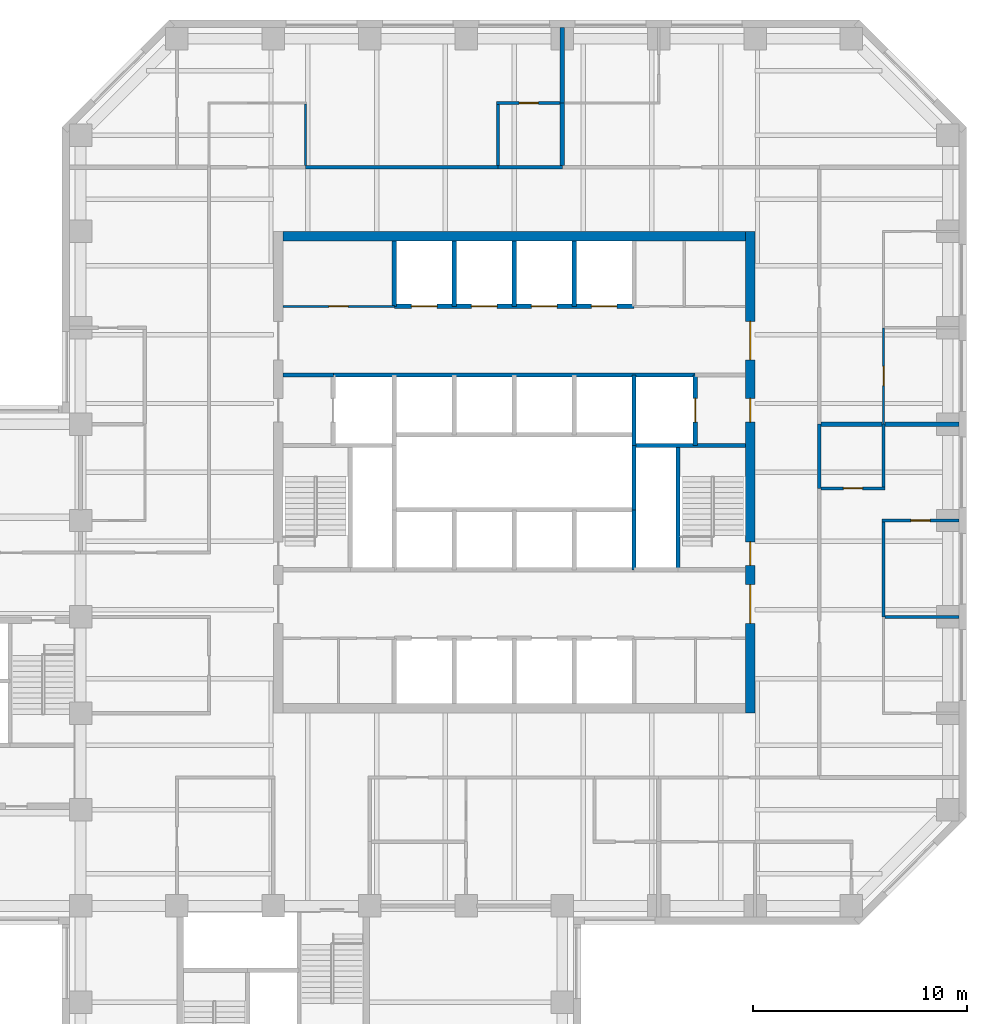
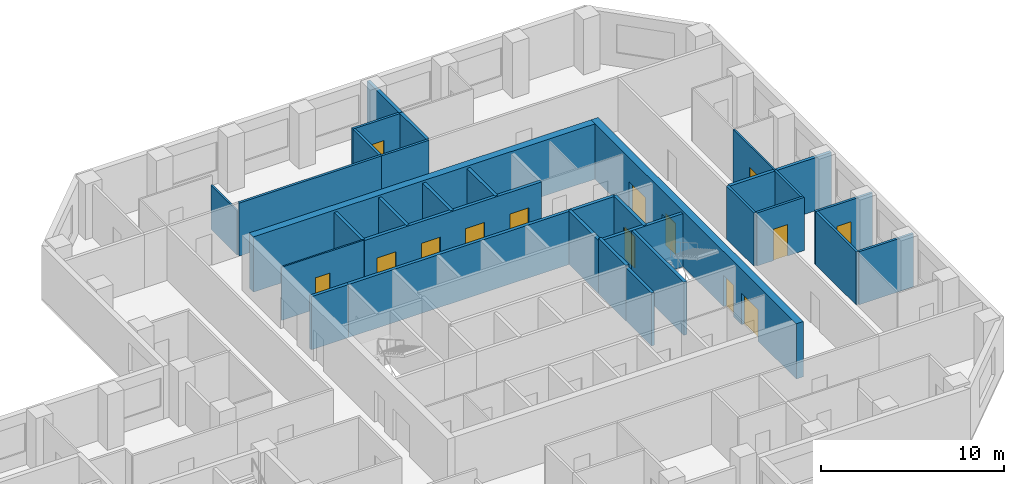
# One storey, part 8 of 11: 32 walls, 14 doors, 14 openings.
"""IFC4 building model written with IfcOpenShell, lengths in metres."""

from ifc_helpers import new_model, si_unit, direction, frame, frame_2d, origin, place, context, subcontext, project, spatial, rectangle, extrude, material, layer, layer_set, type_object, element, fill, save


model = new_model("IFC4")

# Units and contexts
model_context = context("Model", 3, precision=1e-05, world=origin(), true_north=direction((0.0, 1.0)))
body_context = subcontext(model_context, "Body", "Model", "MODEL_VIEW")
ifc_project = project(units=[si_unit("LENGTHUNIT", "METRE"), si_unit("AREAUNIT", "SQUARE_METRE"), si_unit("VOLUMEUNIT", "CUBIC_METRE"), si_unit("PLANEANGLEUNIT", "RADIAN"), si_unit("MASSUNIT", "GRAM", prefix="KILO")], contexts=[model_context])

# Site, building, storey
site_placement = place(None, origin())
site = spatial("IfcSite", under=ifc_project, at=site_placement, CompositionType="ELEMENT")
building_placement = place(site_placement, origin())
building = spatial("IfcBuilding", under=site, at=building_placement, Name="Quoin Convention Tower", CompositionType="ELEMENT")
storey_placement = place(building_placement, frame((0.0, 0.0, 134.39990234375)))
storey = spatial("IfcBuildingStorey", under=building, at=storey_placement, Name="L35", CompositionType="ELEMENT", Elevation=134.39990234375)

# Wall
ifc_material_1 = material(Name="Plasterboard")
ifc_layer_1 = layer(ifc_material_1, 0.012451171875, Name="Finish")
ifc_material_2 = material(Name="Steel stud framing", Category="steel")
ifc_layer_2 = layer(ifc_material_2, 0.125, Name="Structure")
ifc_layer_3 = layer(ifc_material_1, 0.012451171875, Name="Finish")
ifc_layer_set_1 = layer_set([ifc_layer_1, ifc_layer_2, ifc_layer_3], Name="Steel stud framing")
wall_type_1 = type_object("IfcWallType", Name="Acoustic partition 150", PredefinedType="PARTITIONING", material=ifc_layer_set_1)
wall_1_placement = place(storey_placement, frame((73.574951171875, 54.0, 0.0), z_axis=(0.0, 0.0, 1.0), x_axis=(1.0, 0.0, 0.0)))
element("IfcWall", 1, at=wall_1_placement, inside=storey, type_object=wall_type_1, Name="pw-L35-035", PredefinedType="PARTITIONING", context=body_context, shape_type="SweptSolid", body=[
    extrude(rectangle(XDim=3.449951171875, YDim=0.14990234375, at=frame_2d((1.72509765625, 0.0))), origin(), (0.0, 0.0, 1.0), 3.550048828125),
])

# Wall, opening, door
wall_2_placement = place(storey_placement, frame((73.425048828125, 58.5, 0.0), z_axis=(0.0, 0.0, 1.0), x_axis=(1.0, 0.0, 0.0)))
wall_2 = element("IfcWall", 2, at=wall_2_placement, inside=storey, type_object=wall_type_1, Name="pw-L35-039", PredefinedType="PARTITIONING", context=body_context, shape_type="SweptSolid", body=[
    extrude(rectangle(XDim=3.599853515625, YDim=0.14990234375, at=frame_2d((1.7998046875, 0.0))), origin(), (0.0, 0.0, 1.0), 3.550048828125),
])
opening_1_placement = place(wall_2_placement, frame((1.35009765625, 0.0, 0.0)))
opening_1 = element("IfcOpeningElement", 3, at=opening_1_placement, cuts=wall_2, Name="Opening DOL7-17", PredefinedType="OPENING", context=body_context, shape_type="SweptSolid", body=[
    extrude(rectangle(XDim=0.89990234375, YDim=2.10009765625, at=frame_2d((0.449951171875, 1.050048828125))), frame((0.0, 0.0849609375, 0.0), z_axis=(0.0, -1.0, 0.0), x_axis=(1.0, 0.0, 0.0)), (0.0, 0.0, 1.0), 0.169921875),
])
ifc_material_3 = material(Name="Steel door leaf", Category="steel")
door_type_1 = type_object("IfcDoorType", Name="Office door 900 x 2100", OperationType="SINGLE_SWING_RIGHT", PredefinedType="DOOR", material=ifc_material_3)
door_1_placement = place(opening_1_placement, origin())
door_1 = element("IfcDoor", 4, at=door_1_placement, inside=storey, type_object=door_type_1, Name="dr-L35-28", OperationType="SINGLE_SWING_RIGHT", OverallHeight=2.10009765625, OverallWidth=0.89990234375, PredefinedType="DOOR", context=body_context, shape_type="SweptSolid", body=[
    extrude(rectangle(XDim=0.89990234375, YDim=2.10009765625, at=frame_2d((0.449951171875, 1.050048828125))), frame((0.0, 0.02490234375, 0.0), z_axis=(0.0, -1.0, 0.0), x_axis=(1.0, 0.0, 0.0)), (0.0, 0.0, 1.0), 0.050048828125),
])
fill(opening_1, door_1)

# Wall
wall_3_placement = place(storey_placement, frame((73.5, 54.0, 0.0), z_axis=(0.0, 0.0, 1.0), x_axis=(0.0, 1.0, 0.0)))
element("IfcWall", 5, at=wall_3_placement, inside=storey, type_object=wall_type_1, Name="pw-L35-089", PredefinedType="PARTITIONING", context=body_context, shape_type="SweptSolid", body=[
    extrude(rectangle(XDim=4.425048828125, YDim=0.14990234375, at=frame_2d((2.21240234375, 0.0))), origin(), (0.0, 0.0, 1.0), 3.550048828125),
])

# Wall, opening, door
ifc_layer_4 = layer(ifc_material_1, 0.012451171875, Name="Finish")
ifc_layer_5 = layer(ifc_material_2, 0.074951171875, Name="Structure")
ifc_layer_6 = layer(ifc_material_1, 0.012451171875, Name="Finish")
ifc_layer_set_2 = layer_set([ifc_layer_4, ifc_layer_5, ifc_layer_6], Name="Steel stud framing")
wall_type_2 = type_object("IfcWallType", Name="Core partition wall", PredefinedType="PARTITIONING", material=ifc_layer_set_2)
wall_4_placement = place(storey_placement, frame((45.449951171875, 68.5, 0.0), z_axis=(0.0, 0.0, 1.0), x_axis=(1.0, 0.0, 0.0)))
wall_4 = element("IfcWall", 6, at=wall_4_placement, inside=storey, type_object=wall_type_2, Name="cr-C1-L35-h19000_450", PredefinedType="PARTITIONING", context=body_context, shape_type="SweptSolid", body=[
    extrude(rectangle(XDim=5.199951171875, YDim=0.10009765625, at=frame_2d((2.60009765625, 0.0))), origin(), (0.0, 0.0, 1.0), 3.550048828125),
])
opening_2_placement = place(wall_4_placement, frame((2.14990234375, 0.0, 0.0)))
opening_2 = element("IfcOpeningElement", 7, at=opening_2_placement, cuts=wall_4, Name="Opening DCV0-23", PredefinedType="OPENING", context=body_context, shape_type="SweptSolid", body=[
    extrude(rectangle(XDim=0.89990234375, YDim=2.10009765625, at=frame_2d((0.449951171875, 1.050048828125))), frame((0.0, 0.06005859375, 0.0), z_axis=(0.0, -1.0, 0.0), x_axis=(1.0, 0.0, 0.0)), (0.0, 0.0, 1.0), 0.1201171875),
])
door_type_2 = type_object("IfcDoorType", Name="Core room door 900 x 2100", OperationType="SINGLE_SWING_LEFT", PredefinedType="DOOR", material=ifc_material_3)
door_2_placement = place(opening_2_placement, origin())
door_2 = element("IfcDoor", 8, at=door_2_placement, inside=storey, type_object=door_type_2, Name="cd-C1-L35-CNW0-lobB-CD3509", OperationType="SINGLE_SWING_RIGHT", OverallHeight=2.10009765625, OverallWidth=0.89990234375, PredefinedType="DOOR", context=body_context, shape_type="SweptSolid", body=[
    extrude(rectangle(XDim=0.89990234375, YDim=2.10009765625, at=frame_2d((0.449951171875, 1.050048828125))), frame((0.0, 0.02490234375, 0.0), z_axis=(0.0, -1.0, 0.0), x_axis=(1.0, 0.0, 0.0)), (0.0, 0.0, 1.0), 0.050048828125),
])
fill(opening_2, door_2)

# Walls
ifc_material_4 = material(Name="Concrete C50", Category="concrete")
ifc_layer_7 = layer(ifc_material_4, 0.199951171875)
ifc_layer_set_3 = layer_set([ifc_layer_7], Name="Concrete C50")
wall_type_3 = type_object("IfcWallType", Name="Core shaft wall", PredefinedType="SOLIDWALL", material=ifc_layer_set_3)
wall_5_placement = place(storey_placement, frame((61.85009765625, 62.0, 0.0), z_axis=(0.0, 0.0, 1.0), x_axis=(1.0, 0.0, 0.0)))
element("IfcWall", 9, at=wall_5_placement, inside=storey, type_object=wall_type_3, Name="cr-C1-L35-h12500_16850", PredefinedType="SOLIDWALL", context=body_context, shape_type="SweptSolid", body=[
    extrude(rectangle(XDim=5.199951171875, YDim=0.199951171875, at=frame_2d((2.60009765625, 0.0))), origin(), (0.0, 0.0, 1.0), 3.550048828125),
])
wall_6_placement = place(storey_placement, frame((45.449951171875, 65.300048828125, 0.0), z_axis=(0.0, 0.0, 1.0), x_axis=(1.0, 0.0, 0.0)))
element("IfcWall", 10, at=wall_6_placement, inside=storey, type_object=wall_type_3, Name="cr-C1-L35-h15800_450", PredefinedType="SOLIDWALL", context=body_context, shape_type="SweptSolid", body=[
    extrude(rectangle(XDim=2.35009765625, YDim=0.199951171875, at=frame_2d((1.175048828125, 0.0))), origin(), (0.0, 0.0, 1.0), 3.550048828125),
])
wall_7_placement = place(storey_placement, frame((47.800048828125, 65.300048828125, 0.0), z_axis=(0.0, 0.0, 1.0), x_axis=(1.0, 0.0, 0.0)))
element("IfcWall", 11, at=wall_7_placement, inside=storey, type_object=wall_type_3, Name="cr-C1-L35-h15800_2800", PredefinedType="SOLIDWALL", context=body_context, shape_type="SweptSolid", body=[
    extrude(rectangle(XDim=16.89990234375, YDim=0.199951171875, at=frame_2d((8.449951171875, 0.0))), origin(), (0.0, 0.0, 1.0), 3.550048828125),
])

# Wall, openings, doors
wall_8_placement = place(storey_placement, frame((50.64990234375, 68.5, 0.0), z_axis=(0.0, 0.0, 1.0), x_axis=(1.0, 0.0, 0.0)))
wall_8 = element("IfcWall", 12, at=wall_8_placement, inside=storey, type_object=wall_type_3, Name="cr-C1-L35-h19000_5650", PredefinedType="SOLIDWALL", context=body_context, shape_type="SweptSolid", body=[
    extrude(rectangle(XDim=11.2001953125, YDim=0.199951171875, at=frame_2d((5.60009765625, 0.0))), origin(), (0.0, 0.0, 1.0), 3.550048828125),
])
opening_3_placement = place(wall_8_placement, frame((0.800048828125, 0.0, 0.0)))
opening_3 = element("IfcOpeningElement", 13, at=opening_3_placement, cuts=wall_8, Name="Opening LDL5", PredefinedType="OPENING", context=body_context, shape_type="SweptSolid", body=[
    extrude(rectangle(XDim=1.199951171875, YDim=2.10009765625, at=frame_2d((0.60009765625, 1.050048828125))), frame((0.0, 0.10986328125, 0.0), z_axis=(0.0, -1.0, 0.0), x_axis=(1.0, 0.0, 0.0)), (0.0, 0.0, 1.0), 0.219970703125),
])
opening_4_placement = place(wall_8_placement, frame((3.60009765625, 0.0, 0.0)))
opening_4 = element("IfcOpeningElement", 14, at=opening_4_placement, cuts=wall_8, Name="Opening LDL6", PredefinedType="OPENING", context=body_context, shape_type="SweptSolid", body=[
    extrude(rectangle(XDim=1.199951171875, YDim=2.10009765625, at=frame_2d((0.60009765625, 1.050048828125))), frame((0.0, 0.10986328125, 0.0), z_axis=(0.0, -1.0, 0.0), x_axis=(1.0, 0.0, 0.0)), (0.0, 0.0, 1.0), 0.219970703125),
])
opening_5_placement = place(wall_8_placement, frame((6.39990234375, 0.0, 0.0)))
opening_5 = element("IfcOpeningElement", 15, at=opening_5_placement, cuts=wall_8, Name="Opening LDL7", PredefinedType="OPENING", context=body_context, shape_type="SweptSolid", body=[
    extrude(rectangle(XDim=1.199951171875, YDim=2.10009765625, at=frame_2d((0.60009765625, 1.050048828125))), frame((0.0, 0.10986328125, 0.0), z_axis=(0.0, -1.0, 0.0), x_axis=(1.0, 0.0, 0.0)), (0.0, 0.0, 1.0), 0.219970703125),
])
opening_6_placement = place(wall_8_placement, frame((9.199951171875, 0.0, 0.0)))
opening_6 = element("IfcOpeningElement", 16, at=opening_6_placement, cuts=wall_8, Name="Opening LDL8", PredefinedType="OPENING", context=body_context, shape_type="SweptSolid", body=[
    extrude(rectangle(XDim=1.199951171875, YDim=2.10009765625, at=frame_2d((0.60009765625, 1.050048828125))), frame((0.0, 0.10986328125, 0.0), z_axis=(0.0, -1.0, 0.0), x_axis=(1.0, 0.0, 0.0)), (0.0, 0.0, 1.0), 0.219970703125),
])
door_type_3 = type_object("IfcDoorType", Name="Lift landing door 1200 x 2100", OperationType="DOUBLE_DOOR_SLIDING", PredefinedType="DOOR", material=ifc_material_3)
door_3_placement = place(opening_3_placement, origin())
door_3 = element("IfcDoor", 17, at=door_3_placement, inside=storey, type_object=door_type_3, Name="cd-C1-L35-R40-lobB-LDL5", OperationType="DOUBLE_DOOR_SLIDING", OverallHeight=2.10009765625, OverallWidth=1.199951171875, PredefinedType="DOOR", context=body_context, shape_type="SweptSolid", body=[
    extrude(rectangle(XDim=1.199951171875, YDim=2.10009765625, at=frame_2d((0.60009765625, 1.050048828125))), frame((0.0, 0.02490234375, 0.0), z_axis=(0.0, -1.0, 0.0), x_axis=(1.0, 0.0, 0.0)), (0.0, 0.0, 1.0), 0.050048828125),
])
fill(opening_3, door_3)
door_4_placement = place(opening_4_placement, origin())
door_4 = element("IfcDoor", 18, at=door_4_placement, inside=storey, type_object=door_type_3, Name="cd-C1-L35-R41-lobB-LDL6", OperationType="DOUBLE_DOOR_SLIDING", OverallHeight=2.10009765625, OverallWidth=1.199951171875, PredefinedType="DOOR", context=body_context, shape_type="SweptSolid", body=[
    extrude(rectangle(XDim=1.199951171875, YDim=2.10009765625, at=frame_2d((0.60009765625, 1.050048828125))), frame((0.0, 0.02490234375, 0.0), z_axis=(0.0, -1.0, 0.0), x_axis=(1.0, 0.0, 0.0)), (0.0, 0.0, 1.0), 0.050048828125),
])
fill(opening_4, door_4)
door_5_placement = place(opening_5_placement, origin())
door_5 = element("IfcDoor", 19, at=door_5_placement, inside=storey, type_object=door_type_3, Name="cd-C1-L35-R42-lobB-LDL7", OperationType="DOUBLE_DOOR_SLIDING", OverallHeight=2.10009765625, OverallWidth=1.199951171875, PredefinedType="DOOR", context=body_context, shape_type="SweptSolid", body=[
    extrude(rectangle(XDim=1.199951171875, YDim=2.10009765625, at=frame_2d((0.60009765625, 1.050048828125))), frame((0.0, 0.02490234375, 0.0), z_axis=(0.0, -1.0, 0.0), x_axis=(1.0, 0.0, 0.0)), (0.0, 0.0, 1.0), 0.050048828125),
])
fill(opening_5, door_5)
door_6_placement = place(opening_6_placement, origin())
door_6 = element("IfcDoor", 20, at=door_6_placement, inside=storey, type_object=door_type_3, Name="cd-C1-L35-R43-lobB-LDL8", OperationType="DOUBLE_DOOR_SLIDING", OverallHeight=2.10009765625, OverallWidth=1.199951171875, PredefinedType="DOOR", context=body_context, shape_type="SweptSolid", body=[
    extrude(rectangle(XDim=1.199951171875, YDim=2.10009765625, at=frame_2d((0.60009765625, 1.050048828125))), frame((0.0, 0.02490234375, 0.0), z_axis=(0.0, -1.0, 0.0), x_axis=(1.0, 0.0, 0.0)), (0.0, 0.0, 1.0), 0.050048828125),
])
fill(opening_6, door_6)

# Walls
for number, where, z_axis, x_axis, name in (
    (21, (50.64990234375, 68.5, 0.0), (0.0, 0.0, 1.0), (0.0, 1.0, 0.0), "cr-C1-L35-v5650_19000"),
    (22, (53.449951171875, 68.5, 0.0), (0.0, 0.0, 1.0), (0.0, 1.0, 0.0), "cr-C1-L35-v8450_19000"),
    (23, (56.25, 68.5, 0.0), (0.0, 0.0, 1.0), (0.0, 1.0, 0.0), "cr-C1-L35-v11250_19000"),
    (24, (59.050048828125, 68.5, 0.0), (0.0, 0.0, 1.0), (0.0, 1.0, 0.0), "cr-C1-L35-v14050_19000"),
):
    element("IfcWall", number, at=place(storey_placement, frame(where, z_axis=z_axis, x_axis=x_axis)), inside=storey, type_object=wall_type_3, Name=name, PredefinedType="SOLIDWALL", context=body_context, shape_type="SweptSolid", body=[
        extrude(rectangle(XDim=3.050048828125, YDim=0.199951171875, at=frame_2d((1.52490234375, 0.0))), origin(), (0.0, 0.0, 1.0), 3.550048828125),
    ])
wall_9_placement = place(storey_placement, frame((61.85009765625, 56.199951171875, 0.0), z_axis=(0.0, 0.0, 1.0), x_axis=(0.0, 1.0, 0.0)))
element("IfcWall", 25, at=wall_9_placement, inside=storey, type_object=wall_type_3, Name="cr-C1-L35-v16850_6700", PredefinedType="SOLIDWALL", context=body_context, shape_type="SweptSolid", body=[
    extrude(rectangle(XDim=2.800048828125, YDim=0.199951171875, at=frame_2d((1.39990234375, 0.0))), origin(), (0.0, 0.0, 1.0), 3.550048828125),
])
wall_10_placement = place(storey_placement, frame((61.85009765625, 62.0, 0.0), z_axis=(0.0, 0.0, 1.0), x_axis=(0.0, 1.0, 0.0)))
element("IfcWall", 26, at=wall_10_placement, inside=storey, type_object=wall_type_3, Name="cr-C1-L35-v16850_12500", PredefinedType="SOLIDWALL", context=body_context, shape_type="SweptSolid", body=[
    extrude(rectangle(XDim=3.300048828125, YDim=0.199951171875, at=frame_2d((1.64990234375, 0.0))), origin(), (0.0, 0.0, 1.0), 3.550048828125),
])
wall_11_placement = place(storey_placement, frame((63.89990234375, 56.199951171875, 0.0), z_axis=(0.0, 0.0, 1.0), x_axis=(0.0, 1.0, 0.0)))
element("IfcWall", 27, at=wall_11_placement, inside=storey, type_object=wall_type_3, Name="cr-C1-L35-v18900_6700", PredefinedType="SOLIDWALL", context=body_context, shape_type="SweptSolid", body=[
    extrude(rectangle(XDim=5.800048828125, YDim=0.199951171875, at=frame_2d((2.89990234375, 0.0))), origin(), (0.0, 0.0, 1.0), 3.550048828125),
])

# Wall, opening, door
wall_12_placement = place(storey_placement, frame((64.699951171875, 62.0, 0.0), z_axis=(0.0, 0.0, 1.0), x_axis=(0.0, 1.0, 0.0)))
wall_12 = element("IfcWall", 28, at=wall_12_placement, inside=storey, type_object=wall_type_3, Name="cr-C1-L35-v19700_12500", PredefinedType="SOLIDWALL", context=body_context, shape_type="SweptSolid", body=[
    extrude(rectangle(XDim=3.300048828125, YDim=0.199951171875, at=frame_2d((1.64990234375, 0.0))), origin(), (0.0, 0.0, 1.0), 3.550048828125),
])
opening_7_placement = place(wall_12_placement, frame((1.10009765625, 0.0, 0.0)))
opening_7 = element("IfcOpeningElement", 29, at=opening_7_placement, cuts=wall_12, Name="Opening LDFL2", PredefinedType="OPENING", context=body_context, shape_type="SweptSolid", body=[
    extrude(rectangle(XDim=1.10009765625, YDim=2.10009765625, at=frame_2d((0.550048828125, 1.050048828125))), frame((0.0, 0.10986328125, 0.0), z_axis=(0.0, -1.0, 0.0), x_axis=(1.0, 0.0, 0.0)), (0.0, 0.0, 1.0), 0.219970703125),
])
door_type_4 = type_object("IfcDoorType", Name="Lift landing door 1100 x 2100", OperationType="DOUBLE_DOOR_SLIDING", PredefinedType="DOOR", material=ifc_material_3)
door_7_placement = place(opening_7_placement, origin())
door_7 = element("IfcDoor", 30, at=door_7_placement, inside=storey, type_object=door_type_4, Name="cd-C1-L35-FLE-FFE-LDFL2", OperationType="DOUBLE_DOOR_SLIDING", OverallHeight=2.10009765625, OverallWidth=1.10009765625, PredefinedType="DOOR", context=body_context, shape_type="SweptSolid", body=[
    extrude(rectangle(XDim=1.10009765625, YDim=2.10009765625, at=frame_2d((0.550048828125, 1.050048828125))), frame((0.0, 0.02490234375, 0.0), z_axis=(0.0, -1.0, 0.0), x_axis=(1.0, 0.0, 0.0)), (0.0, 0.0, 1.0), 0.050048828125),
])
fill(opening_7, door_7)

# Walls
ifc_layer_8 = layer(ifc_material_4, 0.199951171875)
ifc_layer_set_4 = layer_set([ifc_layer_8], Name="Concrete C50")
wall_type_4 = type_object("IfcWallType", Name="Core shaft wall to the floor level over", PredefinedType="SOLIDWALL", material=ifc_layer_set_4)
wall_13_placement = place(storey_placement, frame((61.85009765625, 59.0, 0.0), z_axis=(0.0, 0.0, 1.0), x_axis=(0.0, 1.0, 0.0)))
element("IfcWall", 31, at=wall_13_placement, inside=storey, type_object=wall_type_4, Name="cr-C1-L35-v16850_9500", PredefinedType="SOLIDWALL", context=body_context, shape_type="SweptSolid", body=[
    extrude(rectangle(XDim=3.0, YDim=0.199951171875, at=frame_2d((1.5, 0.0))), origin(), (0.0, 0.0, 1.0), 3.7001953125),
])
ifc_layer_9 = layer(ifc_material_1, 0.012451171875, Name="Finish")
ifc_layer_10 = layer(ifc_material_2, 0.125, Name="Structure")
ifc_layer_11 = layer(ifc_material_1, 0.012451171875, Name="Finish")
ifc_layer_set_5 = layer_set([ifc_layer_9, ifc_layer_10, ifc_layer_11], Name="Steel stud framing")
wall_type_5 = type_object("IfcWallType", Name="Corridor wall 150", PredefinedType="PARTITIONING", material=ifc_layer_set_5)
wall_14_placement = place(storey_placement, frame((46.5, 75.0, 0.0), z_axis=(0.0, 0.0, 1.0), x_axis=(1.0, 0.0, 0.0)))
element("IfcWall", 32, at=wall_14_placement, inside=storey, type_object=wall_type_5, Name="pw-L35-051", PredefinedType="PARTITIONING", context=body_context, shape_type="SweptSolid", body=[
    extrude(rectangle(XDim=9.0, YDim=0.14990234375, at=frame_2d((4.5, 0.0))), origin(), (0.0, 0.0, 1.0), 3.550048828125),
])
for number, where, z_axis, x_axis, name in (
    (33, (55.5, 75.0, 0.0), (0.0, 0.0, 1.0), (1.0, 0.0, 0.0), "pw-L35-052"),
    (34, (70.5, 60.0, 0.0), (0.0, 0.0, 1.0), (0.0, 1.0, 0.0), "pw-L35-094"),
):
    element("IfcWall", number, at=place(storey_placement, frame(where, z_axis=z_axis, x_axis=x_axis)), inside=storey, type_object=wall_type_5, Name=name, PredefinedType="PARTITIONING", context=body_context, shape_type="SweptSolid", body=[
        extrude(rectangle(XDim=3.0, YDim=0.14990234375, at=frame_2d((1.5, 0.0))), origin(), (0.0, 0.0, 1.0), 3.550048828125),
    ])
ifc_material_5 = material(Name="Concrete C65", Category="concrete")
ifc_layer_12 = layer(ifc_material_5, 0.449951171875)
ifc_layer_set_6 = layer_set([ifc_layer_12], Name="Concrete C65")
wall_type_6 = type_object("IfcWallType", Name="RC CORE WALL 450 C65", PredefinedType="SHEAR", material=ifc_layer_set_6)
wall_15_placement = place(storey_placement, frame((45.449951171875, 71.77490234375, 0.0), z_axis=(0.0, 0.0, 1.0), x_axis=(1.0, 0.0, 0.0)))
element("IfcWall", 35, at=wall_15_placement, inside=storey, type_object=wall_type_6, Name="cwl-C1-L35-N", PredefinedType="SHEAR", context=body_context, shape_type="SweptSolid", body=[
    extrude(rectangle(XDim=21.60009765625, YDim=0.449951171875, at=frame_2d((10.800048828125, 0.0))), origin(), (0.0, 0.0, 1.0), 3.7001953125),
])

# Wall, openings, doors
wall_16_placement = place(storey_placement, frame((67.27490234375, 49.5, 0.0), z_axis=(0.0, 0.0, 1.0), x_axis=(0.0, 1.0, 0.0)))
wall_16 = element("IfcWall", 36, at=wall_16_placement, inside=storey, type_object=wall_type_6, Name="cwl-C1-L35-E", PredefinedType="SHEAR", context=body_context, shape_type="SweptSolid", body=[
    extrude(rectangle(XDim=22.5, YDim=0.449951171875, at=frame_2d((11.25, 0.0))), origin(), (0.0, 0.0, 1.0), 3.7001953125),
])
opening_8_placement = place(wall_16_placement, frame((4.199951171875, 0.0, 0.0)))
opening_8 = element("IfcOpeningElement", 37, at=opening_8_placement, cuts=wall_16, Name="Opening DCV0-57", PredefinedType="OPENING", context=body_context, shape_type="SweptSolid", body=[
    extrude(rectangle(XDim=1.800048828125, YDim=2.10009765625, at=frame_2d((0.89990234375, 1.050048828125))), frame((0.0, 0.23486328125, 0.0), z_axis=(0.0, -1.0, 0.0), x_axis=(1.0, 0.0, 0.0)), (0.0, 0.0, 1.0), 0.469970703125),
])
opening_9_placement = place(wall_16_placement, frame((6.89990234375, 0.0, 0.0)))
opening_9 = element("IfcOpeningElement", 38, at=opening_9_placement, cuts=wall_16, Name="Opening SD2", PredefinedType="OPENING", context=body_context, shape_type="SweptSolid", body=[
    extrude(rectangle(XDim=1.10009765625, YDim=2.10009765625, at=frame_2d((0.550048828125, 1.050048828125))), frame((0.0, 0.23486328125, 0.0), z_axis=(0.0, -1.0, 0.0), x_axis=(1.0, 0.0, 0.0)), (0.0, 0.0, 1.0), 0.469970703125),
])
opening_10_placement = place(wall_16_placement, frame((13.60009765625, 0.0, 0.0)))
opening_10 = element("IfcOpeningElement", 39, at=opening_10_placement, cuts=wall_16, Name="Opening DCV0-56", PredefinedType="OPENING", context=body_context, shape_type="SweptSolid", body=[
    extrude(rectangle(XDim=1.10009765625, YDim=2.10009765625, at=frame_2d((0.550048828125, 1.050048828125))), frame((0.0, 0.23486328125, 0.0), z_axis=(0.0, -1.0, 0.0), x_axis=(1.0, 0.0, 0.0)), (0.0, 0.0, 1.0), 0.469970703125),
])
opening_11_placement = place(wall_16_placement, frame((16.5, 0.0, 0.0)))
opening_11 = element("IfcOpeningElement", 40, at=opening_11_placement, cuts=wall_16, Name="Opening DCV0-57", PredefinedType="OPENING", context=body_context, shape_type="SweptSolid", body=[
    extrude(rectangle(XDim=1.800048828125, YDim=2.10009765625, at=frame_2d((0.89990234375, 1.050048828125))), frame((0.0, 0.23486328125, 0.0), z_axis=(0.0, -1.0, 0.0), x_axis=(1.0, 0.0, 0.0)), (0.0, 0.0, 1.0), 0.469970703125),
])
door_type_5 = type_object("IfcDoorType", Name="Fire-fighting lobby door 1100 x 2100", OperationType="SINGLE_SWING_LEFT", PredefinedType="DOOR", material=ifc_material_3)
door_8_placement = place(opening_10_placement, origin())
door_8 = element("IfcDoor", 41, at=door_8_placement, inside=storey, type_object=door_type_5, Name="cd-C1-L35-FFE-E", OperationType="SINGLE_SWING_RIGHT", OverallHeight=2.10009765625, OverallWidth=1.10009765625, PredefinedType="DOOR", context=body_context, shape_type="SweptSolid", body=[
    extrude(rectangle(XDim=1.10009765625, YDim=2.10009765625, at=frame_2d((0.550048828125, 1.050048828125))), frame((0.0, 0.02490234375, 0.0), z_axis=(0.0, -1.0, 0.0), x_axis=(1.0, 0.0, 0.0)), (0.0, 0.0, 1.0), 0.050048828125),
])
fill(opening_10, door_8)
door_type_6 = type_object("IfcDoorType", Name="Lift lobby door 1800 x 2100", OperationType="SINGLE_SWING_LEFT", PredefinedType="DOOR", material=ifc_material_3)
door_9_placement = place(opening_8_placement, origin())
door_9 = element("IfcDoor", 42, at=door_9_placement, inside=storey, type_object=door_type_6, Name="cd-C1-L35-lobA-E", OperationType="SINGLE_SWING_RIGHT", OverallHeight=2.10009765625, OverallWidth=1.800048828125, PredefinedType="DOOR", context=body_context, shape_type="SweptSolid", body=[
    extrude(rectangle(XDim=1.800048828125, YDim=2.10009765625, at=frame_2d((0.89990234375, 1.050048828125))), frame((0.0, 0.02490234375, 0.0), z_axis=(0.0, -1.0, 0.0), x_axis=(1.0, 0.0, 0.0)), (0.0, 0.0, 1.0), 0.050048828125),
])
fill(opening_8, door_9)
door_10_placement = place(opening_11_placement, origin())
door_10 = element("IfcDoor", 43, at=door_10_placement, inside=storey, type_object=door_type_6, Name="cd-C1-L35-lobB-E", OperationType="SINGLE_SWING_RIGHT", OverallHeight=2.10009765625, OverallWidth=1.800048828125, PredefinedType="DOOR", context=body_context, shape_type="SweptSolid", body=[
    extrude(rectangle(XDim=1.800048828125, YDim=2.10009765625, at=frame_2d((0.89990234375, 1.050048828125))), frame((0.0, 0.02490234375, 0.0), z_axis=(0.0, -1.0, 0.0), x_axis=(1.0, 0.0, 0.0)), (0.0, 0.0, 1.0), 0.050048828125),
])
fill(opening_11, door_10)
door_type_7 = type_object("IfcDoorType", Name="Stair door 1100 x 2100", OperationType="SINGLE_SWING_RIGHT", PredefinedType="DOOR", material=ifc_material_3)
door_11_placement = place(opening_9_placement, origin())
door_11 = element("IfcDoor", 44, at=door_11_placement, inside=storey, type_object=door_type_7, Name="cd-C1-L35-STE-E", OperationType="SINGLE_SWING_LEFT", OverallHeight=2.10009765625, OverallWidth=1.10009765625, PredefinedType="DOOR", context=body_context, shape_type="SweptSolid", body=[
    extrude(rectangle(XDim=1.10009765625, YDim=2.10009765625, at=frame_2d((0.550048828125, 1.050048828125))), frame((0.0, 0.02490234375, 0.0), z_axis=(0.0, -1.0, 0.0), x_axis=(1.0, 0.0, 0.0)), (0.0, 0.0, 1.0), 0.050048828125),
])
fill(opening_9, door_11)

# Wall, opening, door
ifc_layer_13 = layer(ifc_material_1, 0.012451171875, Name="Finish")
ifc_layer_14 = layer(ifc_material_2, 0.074951171875, Name="Structure")
ifc_layer_15 = layer(ifc_material_1, 0.012451171875, Name="Finish")
ifc_layer_set_7 = layer_set([ifc_layer_13, ifc_layer_14, ifc_layer_15], Name="Steel stud framing")
wall_type_7 = type_object("IfcWallType", Name="Stud partition 100", PredefinedType="PARTITIONING", material=ifc_layer_set_7)
wall_17_placement = place(storey_placement, frame((73.5, 63.0, 0.0), z_axis=(0.0, 0.0, 1.0), x_axis=(0.0, 1.0, 0.0)))
wall_17 = element("IfcWall", 45, at=wall_17_placement, inside=storey, type_object=wall_type_7, Name="pw-L35-100", PredefinedType="PARTITIONING", context=body_context, shape_type="SweptSolid", body=[
    extrude(rectangle(XDim=4.5, YDim=0.10009765625, at=frame_2d((2.25, 0.0))), origin(), (0.0, 0.0, 1.0), 3.550048828125),
])
opening_12_placement = place(wall_17_placement, frame((1.800048828125, 0.0, 0.0)))
opening_12 = element("IfcOpeningElement", 46, at=opening_12_placement, cuts=wall_17, Name="Opening DOL7-34", PredefinedType="OPENING", context=body_context, shape_type="SweptSolid", body=[
    extrude(rectangle(XDim=0.89990234375, YDim=2.10009765625, at=frame_2d((0.449951171875, 1.050048828125))), frame((0.0, 0.06005859375, 0.0), z_axis=(0.0, -1.0, 0.0), x_axis=(1.0, 0.0, 0.0)), (0.0, 0.0, 1.0), 0.1201171875),
])
door_12_placement = place(opening_12_placement, origin())
door_12 = element("IfcDoor", 47, at=door_12_placement, inside=storey, type_object=door_type_1, Name="dr-L35-30", OperationType="SINGLE_SWING_LEFT", OverallHeight=2.10009765625, OverallWidth=0.89990234375, PredefinedType="DOOR", context=body_context, shape_type="SweptSolid", body=[
    extrude(rectangle(XDim=0.89990234375, YDim=2.10009765625, at=frame_2d((0.449951171875, 1.050048828125))), frame((0.0, 0.02490234375, 0.0), z_axis=(0.0, -1.0, 0.0), x_axis=(1.0, 0.0, 0.0)), (0.0, 0.0, 1.0), 0.050048828125),
])
fill(opening_12, door_12)

# Walls
ifc_layer_16 = layer(ifc_material_1, 0.012451171875, Name="Finish")
ifc_layer_17 = layer(ifc_material_2, 0.074951171875, Name="Structure")
ifc_layer_18 = layer(ifc_material_1, 0.012451171875, Name="Finish")
ifc_layer_set_8 = layer_set([ifc_layer_16, ifc_layer_17, ifc_layer_18], Name="Steel stud framing")
wall_type_8 = type_object("IfcWallType", Name="Stud partition 100 under beam 602", PredefinedType="PARTITIONING", material=ifc_layer_set_8)
wall_18_placement = place(storey_placement, frame((46.5, 75.074951171875, 0.0), z_axis=(0.0, 0.0, 1.0), x_axis=(0.0, 1.0, 0.0)))
element("IfcWall", 48, at=wall_18_placement, inside=storey, type_object=wall_type_8, Name="pw-L35-103", PredefinedType="PARTITIONING", context=body_context, shape_type="SweptSolid", body=[
    extrude(rectangle(XDim=2.875, YDim=0.10009765625, at=frame_2d((1.4375, 0.0))), origin(), (0.0, 0.0, 1.0), 2.947998046875),
])
ifc_layer_19 = layer(ifc_material_1, 0.012451171875, Name="Finish")
ifc_layer_20 = layer(ifc_material_2, 0.175048828125, Name="Structure")
ifc_layer_21 = layer(ifc_material_1, 0.012451171875, Name="Finish")
ifc_layer_set_9 = layer_set([ifc_layer_19, ifc_layer_20, ifc_layer_21], Name="Steel stud framing")
wall_type_9 = type_object("IfcWallType", Name="Tenancy demising wall 200", PredefinedType="PARTITIONING", material=ifc_layer_set_9)
wall_19_placement = place(storey_placement, frame((70.574951171875, 63.0, 0.0), z_axis=(0.0, 0.0, 1.0), x_axis=(1.0, 0.0, 0.0)))
element("IfcWall", 49, at=wall_19_placement, inside=storey, type_object=wall_type_9, Name="pw-L35-043", PredefinedType="PARTITIONING", context=body_context, shape_type="SweptSolid", body=[
    extrude(rectangle(XDim=2.85009765625, YDim=0.199951171875, at=frame_2d((1.425048828125, 0.0))), origin(), (0.0, 0.0, 1.0), 3.550048828125),
])
wall_20_placement = place(storey_placement, frame((73.574951171875, 63.0, 0.0), z_axis=(0.0, 0.0, 1.0), x_axis=(1.0, 0.0, 0.0)))
element("IfcWall", 50, at=wall_20_placement, inside=storey, type_object=wall_type_9, Name="pw-L35-044", PredefinedType="PARTITIONING", context=body_context, shape_type="SweptSolid", body=[
    extrude(rectangle(XDim=3.449951171875, YDim=0.199951171875, at=frame_2d((1.72509765625, 0.0))), origin(), (0.0, 0.0, 1.0), 3.550048828125),
])
wall_21_placement = place(storey_placement, frame((58.5, 75.074951171875, 0.0), z_axis=(0.0, 0.0, 1.0), x_axis=(0.0, 1.0, 0.0)))
element("IfcWall", 51, at=wall_21_placement, inside=storey, type_object=wall_type_9, Name="pw-L35-105", PredefinedType="PARTITIONING", context=body_context, shape_type="SweptSolid", body=[
    extrude(rectangle(XDim=2.925048828125, YDim=0.199951171875, at=frame_2d((1.46240234375, 0.0))), origin(), (0.0, 0.0, 1.0), 3.550048828125),
])
wall_22_placement = place(storey_placement, frame((58.5, 78.0, 0.0), z_axis=(0.0, 0.0, 1.0), x_axis=(0.0, 1.0, 0.0)))
element("IfcWall", 52, at=wall_22_placement, inside=storey, type_object=wall_type_9, Name="pw-L35-107", PredefinedType="PARTITIONING", context=body_context, shape_type="SweptSolid", body=[
    extrude(rectangle(XDim=3.52490234375, YDim=0.199951171875, at=frame_2d((1.762451171875, 0.0))), origin(), (0.0, 0.0, 1.0), 3.550048828125),
])

# Wall, opening, door
ifc_layer_22 = layer(ifc_material_1, 0.012451171875, Name="Finish")
ifc_layer_23 = layer(ifc_material_2, 0.125, Name="Structure")
ifc_layer_24 = layer(ifc_material_1, 0.012451171875, Name="Finish")
ifc_layer_set_10 = layer_set([ifc_layer_22, ifc_layer_23, ifc_layer_24], Name="Steel stud framing")
wall_type_10 = type_object("IfcWallType", Name="Wet area partition 150", PredefinedType="PARTITIONING", material=ifc_layer_set_10)
wall_23_placement = place(storey_placement, frame((70.574951171875, 60.0, 0.0), z_axis=(0.0, 0.0, 1.0), x_axis=(1.0, 0.0, 0.0)))
wall_23 = element("IfcWall", 53, at=wall_23_placement, inside=storey, type_object=wall_type_10, Name="pw-L35-041", PredefinedType="PARTITIONING", context=body_context, shape_type="SweptSolid", body=[
    extrude(rectangle(XDim=3.0, YDim=0.14990234375, at=frame_2d((1.5, 0.0))), origin(), (0.0, 0.0, 1.0), 3.550048828125),
])
opening_13_placement = place(wall_23_placement, frame((1.050048828125, 0.0, 0.0)))
opening_13 = element("IfcOpeningElement", 54, at=opening_13_placement, cuts=wall_23, Name="Opening DOL7-18", PredefinedType="OPENING", context=body_context, shape_type="SweptSolid", body=[
    extrude(rectangle(XDim=0.89990234375, YDim=2.10009765625, at=frame_2d((0.449951171875, 1.050048828125))), frame((0.0, 0.0849609375, 0.0), z_axis=(0.0, -1.0, 0.0), x_axis=(1.0, 0.0, 0.0)), (0.0, 0.0, 1.0), 0.169921875),
])
door_13_placement = place(opening_13_placement, frame((0.89990234375, 0.0, 0.0), z_axis=(0.0, 0.0, 1.0), x_axis=(-1.0, 0.0, 0.0)))
door_13 = element("IfcDoor", 55, at=door_13_placement, inside=storey, type_object=door_type_1, Name="dr-L35-27", OperationType="SINGLE_SWING_LEFT", OverallHeight=2.10009765625, OverallWidth=0.89990234375, PredefinedType="DOOR", context=body_context, shape_type="SweptSolid", body=[
    extrude(rectangle(XDim=0.89990234375, YDim=2.10009765625, at=frame_2d((0.449951171875, 1.050048828125))), frame((0.0, 0.02490234375, 0.0), z_axis=(0.0, -1.0, 0.0), x_axis=(1.0, 0.0, 0.0)), (0.0, 0.0, 1.0), 0.050048828125),
])
fill(opening_13, door_13)

wall_24_placement = place(storey_placement, frame((55.425048828125, 78.0, 0.0), z_axis=(0.0, 0.0, 1.0), x_axis=(1.0, 0.0, 0.0)))
wall_24 = element("IfcWall", 56, at=wall_24_placement, inside=storey, type_object=wall_type_10, Name="pw-L35-056", PredefinedType="PARTITIONING", context=body_context, shape_type="SweptSolid", body=[
    extrude(rectangle(XDim=2.974853515625, YDim=0.14990234375, at=frame_2d((1.4873046875, 0.0))), origin(), (0.0, 0.0, 1.0), 3.550048828125),
])
opening_14_placement = place(wall_24_placement, frame((1.050048828125, 0.0, 0.0)))
opening_14 = element("IfcOpeningElement", 57, at=opening_14_placement, cuts=wall_24, Name="Opening DOL7-24", PredefinedType="OPENING", context=body_context, shape_type="SweptSolid", body=[
    extrude(rectangle(XDim=0.89990234375, YDim=2.10009765625, at=frame_2d((0.449951171875, 1.050048828125))), frame((0.0, 0.0849609375, 0.0), z_axis=(0.0, -1.0, 0.0), x_axis=(1.0, 0.0, 0.0)), (0.0, 0.0, 1.0), 0.169921875),
])
door_14_placement = place(opening_14_placement, origin())
door_14 = element("IfcDoor", 58, at=door_14_placement, inside=storey, type_object=door_type_1, Name="dr-L35-34", OperationType="SINGLE_SWING_RIGHT", OverallHeight=2.10009765625, OverallWidth=0.89990234375, PredefinedType="DOOR", context=body_context, shape_type="SweptSolid", body=[
    extrude(rectangle(XDim=0.89990234375, YDim=2.10009765625, at=frame_2d((0.449951171875, 1.050048828125))), frame((0.0, 0.02490234375, 0.0), z_axis=(0.0, -1.0, 0.0), x_axis=(1.0, 0.0, 0.0)), (0.0, 0.0, 1.0), 0.050048828125),
])
fill(opening_14, door_14)

# Walls
wall_25_placement = place(storey_placement, frame((73.5, 60.074951171875, 0.0), z_axis=(0.0, 0.0, 1.0), x_axis=(0.0, 1.0, 0.0)))
element("IfcWall", 59, at=wall_25_placement, inside=storey, type_object=wall_type_10, Name="pw-L35-097", PredefinedType="PARTITIONING", context=body_context, shape_type="SweptSolid", body=[
    extrude(rectangle(XDim=2.925048828125, YDim=0.14990234375, at=frame_2d((1.46240234375, 0.0))), origin(), (0.0, 0.0, 1.0), 3.550048828125),
])
wall_26_placement = place(storey_placement, frame((55.5, 75.074951171875, 0.0), z_axis=(0.0, 0.0, 1.0), x_axis=(0.0, 1.0, 0.0)))
element("IfcWall", 60, at=wall_26_placement, inside=storey, type_object=wall_type_10, Name="pw-L35-104", PredefinedType="PARTITIONING", context=body_context, shape_type="SweptSolid", body=[
    extrude(rectangle(XDim=2.85009765625, YDim=0.14990234375, at=frame_2d((1.425048828125, 0.0))), origin(), (0.0, 0.0, 1.0), 3.550048828125),
])

save(model, "model.ifc")
